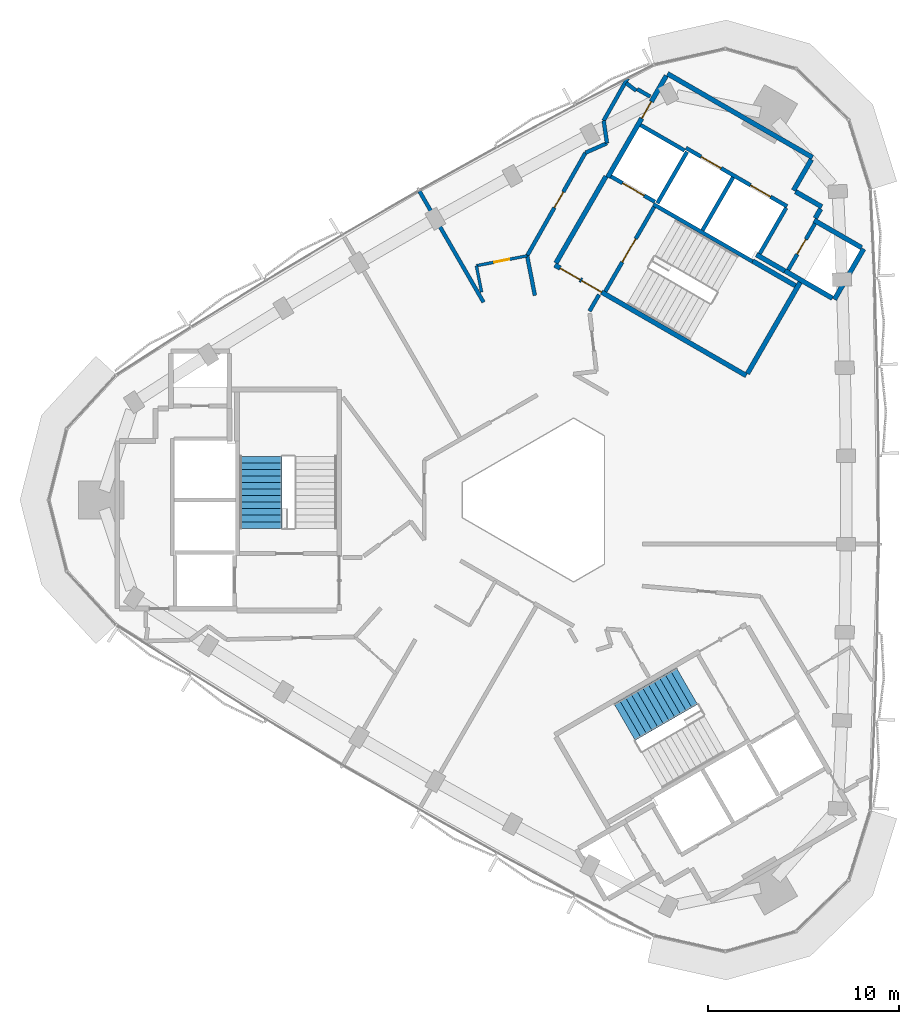
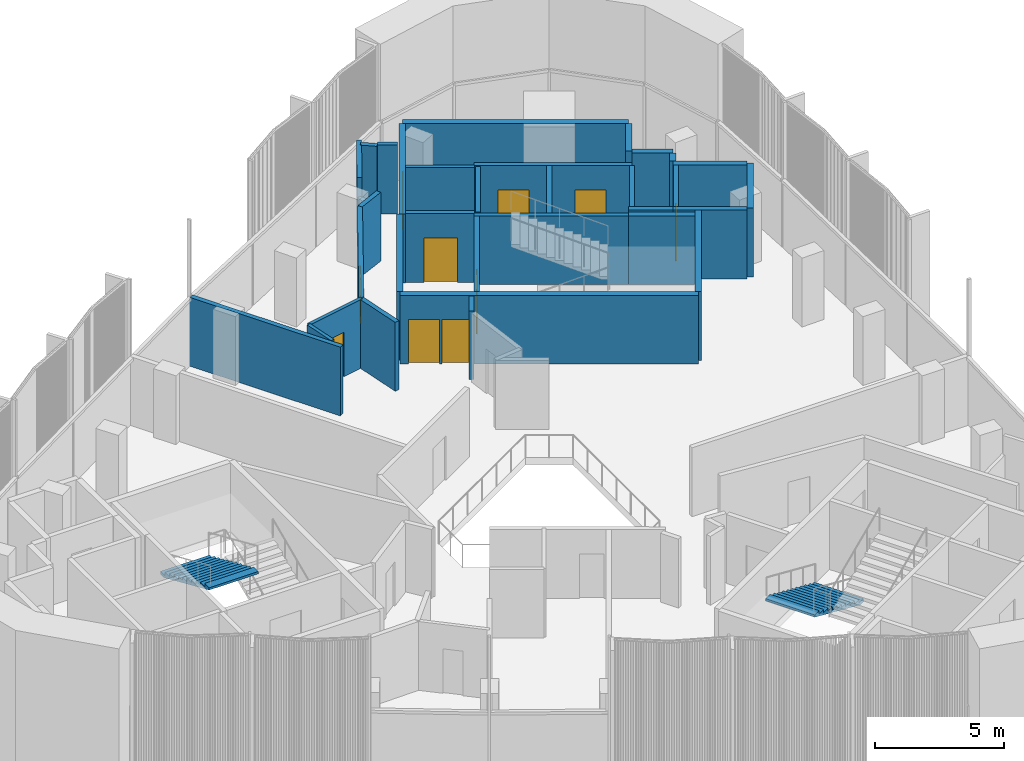
# One storey, part 8 of 13: 33 walls, 10 doors, 2 stair flights, 10 openings, 2 elements without a shape of their own.
"""IFC4 building model written with IfcOpenShell, lengths in metres."""

from ifc_helpers import new_model, si_unit, direction, frame, frame_2d, origin, place, context, subcontext, project, spatial, polyline, rectangle, outline, extrude, material, layer, layer_set, type_object, element, fill, aggregate, save


model = new_model("IFC4")

# Units and contexts
model_context = context("Model", 3, precision=1e-05, world=origin(), true_north=direction((0.0, 1.0)))
body_context = subcontext(model_context, "Body", "Model", "MODEL_VIEW")
ifc_project = project(units=[si_unit("LENGTHUNIT", "METRE"), si_unit("AREAUNIT", "SQUARE_METRE"), si_unit("VOLUMEUNIT", "CUBIC_METRE"), si_unit("PLANEANGLEUNIT", "RADIAN"), si_unit("MASSUNIT", "GRAM", prefix="KILO")], contexts=[model_context])

# Site, building, storey
site_placement = place(None, origin())
site = spatial("IfcSite", under=ifc_project, at=site_placement, CompositionType="ELEMENT")
building_placement = place(site_placement, origin())
building = spatial("IfcBuilding", under=site, at=building_placement, Name="Tamra Quay Hotel Tower", CompositionType="ELEMENT")
storey_placement = place(building_placement, frame((0.0, 0.0, 291.0)))
storey = spatial("IfcBuildingStorey", under=building, at=storey_placement, Name="L73", CompositionType="ELEMENT", Elevation=291.0)

# Wall, openings, doors
ifc_material_1 = material(Name="Concrete M70", Category="concrete")
ifc_layer_1 = layer(ifc_material_1, 0.199951171875)
ifc_layer_set_1 = layer_set([ifc_layer_1], Name="Concrete M70 core wall 200")
wall_type_1 = type_object("IfcWallType", Name="Concrete M70 core wall 200", PredefinedType="SHEAR", material=ifc_layer_set_1)
wall_1_placement = place(storey_placement, frame((12.552490234375, 15.341552734375, 0.0), z_axis=(0.0, 0.0, 1.0), x_axis=(-0.866030299012, 0.499991521122, 0.0)))
wall_1 = element("IfcWall", 1, at=wall_1_placement, inside=storey, type_object=wall_type_1, Name="CW2", PredefinedType="SHEAR", context=body_context, shape_type="SweptSolid", body=[
    extrude(rectangle(XDim=6.10009765625, YDim=0.199951171875, at=frame_2d((3.050048828125, 0.0))), origin(), (0.0, 0.0, 1.0), 3.25),
])
opening_1_placement = place(wall_1_placement, frame((1.0, 0.0, 0.0)))
opening_1 = element("IfcOpeningElement", 2, at=opening_1_placement, cuts=wall_1, Name="Opening LD", PredefinedType="OPENING", context=body_context, shape_type="SweptSolid", body=[
    extrude(rectangle(XDim=1.199951171875, YDim=2.10009765625, at=frame_2d((0.60009765625, 1.050048828125))), frame((0.0, 0.10986328125, 0.0), z_axis=(0.0, -1.0, 0.0), x_axis=(1.0, 0.0, 0.0)), (0.0, 0.0, 1.0), 0.219970703125),
])
opening_2_placement = place(wall_1_placement, frame((3.982177734375, 0.0, 0.0)))
opening_2 = element("IfcOpeningElement", 3, at=opening_2_placement, cuts=wall_1, Name="Opening LD", PredefinedType="OPENING", context=body_context, shape_type="SweptSolid", body=[
    extrude(rectangle(XDim=1.199951171875, YDim=2.10009765625, at=frame_2d((0.60009765625, 1.050048828125))), frame((0.0, 0.10986328125, 0.0), z_axis=(0.0, -1.0, 0.0), x_axis=(1.0, 0.0, 0.0)), (0.0, 0.0, 1.0), 0.219970703125),
])
ifc_material_2 = material(Name="Landing door LD 1200 double door sliding")
door_type_1 = type_object("IfcDoorType", Name="Landing door LD 1200 double door sliding", OperationType="DOUBLE_DOOR_SLIDING", PredefinedType="DOOR", material=ifc_material_2)
door_1_placement = place(opening_1_placement, origin())
door_1 = element("IfcDoor", 4, at=door_1_placement, inside=storey, type_object=door_type_1, Name="LD", OperationType="DOUBLE_DOOR_SLIDING", OverallHeight=2.10009765625, OverallWidth=1.199951171875, PredefinedType="DOOR", context=body_context, shape_type="SweptSolid", body=[
    extrude(rectangle(XDim=1.199951171875, YDim=2.10009765625, at=frame_2d((0.60009765625, 1.050048828125))), frame((0.0, 0.02490234375, 0.0), z_axis=(0.0, -1.0, 0.0), x_axis=(1.0, 0.0, 0.0)), (0.0, 0.0, 1.0), 0.050048828125),
])
fill(opening_1, door_1)
door_2_placement = place(opening_2_placement, origin())
door_2 = element("IfcDoor", 5, at=door_2_placement, inside=storey, type_object=door_type_1, Name="LD", OperationType="DOUBLE_DOOR_SLIDING", OverallHeight=2.10009765625, OverallWidth=1.199951171875, PredefinedType="DOOR", context=body_context, shape_type="SweptSolid", body=[
    extrude(rectangle(XDim=1.199951171875, YDim=2.10009765625, at=frame_2d((0.60009765625, 1.050048828125))), frame((0.0, 0.02490234375, 0.0), z_axis=(0.0, -1.0, 0.0), x_axis=(1.0, 0.0, 0.0)), (0.0, 0.0, 1.0), 0.050048828125),
])
fill(opening_2, door_2)

# Wall
wall_2_placement = place(storey_placement, frame((10.7431640625, 12.4599609375, 0.0), z_axis=(0.0, 0.0, 1.0), x_axis=(-0.866018848283, 0.500011354289, 0.0)))
element("IfcWall", 6, at=wall_2_placement, inside=storey, type_object=wall_type_1, Name="CW2", PredefinedType="SHEAR", context=body_context, shape_type="SweptSolid", body=[
    extrude(rectangle(XDim=5.973876953125, YDim=0.199951171875, at=frame_2d((2.98681640625, 0.0))), origin(), (0.0, 0.0, 1.0), 3.25),
])

# Wall, opening, door
wall_3_placement = place(storey_placement, frame((3.056640625, 10.89453125, 0.0), z_axis=(0.0, 0.0, 1.0), x_axis=(0.500027839223, 0.866009330205, 0.0)))
wall_3 = element("IfcWall", 7, at=wall_3_placement, inside=storey, type_object=wall_type_1, Name="CW2", PredefinedType="SHEAR", context=body_context, shape_type="SweptSolid", body=[
    extrude(rectangle(XDim=5.097900390625, YDim=0.199951171875, at=frame_2d((2.548828125, 0.0))), origin(), (0.0, 0.0, 1.0), 3.25),
])
opening_3_placement = place(wall_3_placement, frame((1.77392578125, 0.0, 0.0)))
opening_3 = element("IfcOpeningElement", 8, at=opening_3_placement, cuts=wall_3, Name="Opening FD2", PredefinedType="OPENING", context=body_context, shape_type="SweptSolid", body=[
    extrude(rectangle(XDim=1.39990234375, YDim=2.10009765625, at=frame_2d((0.699951171875, 1.050048828125))), frame((0.0, 0.10986328125, 0.0), z_axis=(0.0, -1.0, 0.0), x_axis=(1.0, 0.0, 0.0)), (0.0, 0.0, 1.0), 0.219970703125),
])
ifc_material_3 = material(Name="Core door FD2 1400x2100 LH")
door_type_2 = type_object("IfcDoorType", Name="Core door FD2 1400x2100 LH", OperationType="NOTDEFINED", PredefinedType="DOOR", material=ifc_material_3)
door_3_placement = place(opening_3_placement, origin())
door_3 = element("IfcDoor", 9, at=door_3_placement, inside=storey, type_object=door_type_2, Name="FD2", OperationType="SINGLE_SWING_LEFT", OverallHeight=2.10009765625, OverallWidth=1.39990234375, PredefinedType="DOOR", context=body_context, shape_type="SweptSolid", body=[
    extrude(rectangle(XDim=1.39990234375, YDim=2.10009765625, at=frame_2d((0.699951171875, 1.050048828125))), frame((0.0, 0.02490234375, 0.0), z_axis=(0.0, -1.0, 0.0), x_axis=(1.0, 0.0, 0.0)), (0.0, 0.0, 1.0), 0.050048828125),
])
fill(opening_3, door_3)

# Wall
wall_4_placement = place(storey_placement, frame((8.131591796875, 14.08447265625, 0.0), z_axis=(0.0, 0.0, 1.0), x_axis=(0.500030834389, 0.86600760081, 0.0)))
element("IfcWall", 10, at=wall_4_placement, inside=storey, type_object=wall_type_1, Name="CW2", PredefinedType="SHEAR", context=body_context, shape_type="SweptSolid", body=[
    extrude(rectangle(XDim=3.197998046875, YDim=0.199951171875, at=frame_2d((1.59912109375, 0.0))), origin(), (0.0, 0.0, 1.0), 3.25),
])

# Wall, opening, door
wall_5_placement = place(storey_placement, frame((14.0078125, 14.442138671875, 0.0), z_axis=(0.0, 0.0, 1.0), x_axis=(-0.499986818241, -0.866033014143, 0.0)))
wall_5 = element("IfcWall", 11, at=wall_5_placement, inside=storey, type_object=wall_type_1, Name="CW2", PredefinedType="SHEAR", context=body_context, shape_type="SweptSolid", body=[
    extrude(rectangle(XDim=2.7978515625, YDim=0.199951171875, at=frame_2d((1.39892578125, 0.0))), origin(), (0.0, 0.0, 1.0), 3.25),
])
opening_4_placement = place(wall_5_placement, frame((0.948974609375, 0.0, 0.0)))
opening_4 = element("IfcOpeningElement", 12, at=opening_4_placement, cuts=wall_5, Name="Opening D1", PredefinedType="OPENING", context=body_context, shape_type="SweptSolid", body=[
    extrude(rectangle(XDim=0.89990234375, YDim=2.10009765625, at=frame_2d((0.449951171875, 1.050048828125))), frame((0.0, 0.10986328125, 0.0), z_axis=(0.0, -1.0, 0.0), x_axis=(1.0, 0.0, 0.0)), (0.0, 0.0, 1.0), 0.219970703125),
])
ifc_material_4 = material(Name="Core door D1 900x2100 RH")
door_type_3 = type_object("IfcDoorType", Name="Core door D1 900x2100 RH", OperationType="NOTDEFINED", PredefinedType="DOOR", material=ifc_material_4)
door_4_placement = place(opening_4_placement, origin())
door_4 = element("IfcDoor", 13, at=door_4_placement, inside=storey, type_object=door_type_3, Name="D1", OperationType="SINGLE_SWING_RIGHT", OverallHeight=2.10009765625, OverallWidth=0.89990234375, PredefinedType="DOOR", context=body_context, shape_type="SweptSolid", body=[
    extrude(rectangle(XDim=0.89990234375, YDim=2.10009765625, at=frame_2d((0.449951171875, 1.050048828125))), frame((0.0, 0.02490234375, 0.0), z_axis=(0.0, -1.0, 0.0), x_axis=(1.0, 0.0, 0.0)), (0.0, 0.0, 1.0), 0.050048828125),
])
fill(opening_4, door_4)

# Walls
wall_6_placement = place(storey_placement, frame((12.50244140625, 15.2548828125, 0.0), z_axis=(0.0, 0.0, 1.0), x_axis=(-0.499965018551, -0.866045599391, 0.0)))
element("IfcWall", 14, at=wall_6_placement, inside=storey, type_object=wall_type_1, Name="CW2", PredefinedType="SHEAR", context=body_context, shape_type="SweptSolid", body=[
    extrude(rectangle(XDim=2.759033203125, YDim=0.199951171875, at=frame_2d((1.37939453125, 0.0))), origin(), (0.0, 0.0, 1.0), 3.25),
])
wall_7_placement = place(storey_placement, frame((7.324462890625, 18.1865234375, 0.0), z_axis=(0.0, 0.0, 1.0), x_axis=(-0.499967891604, -0.866043940782, 0.0)))
element("IfcWall", 15, at=wall_7_placement, inside=storey, type_object=wall_type_1, Name="CW2", PredefinedType="SHEAR", context=body_context, shape_type="SweptSolid", body=[
    extrude(rectangle(XDim=3.099853515625, YDim=0.199951171875, at=frame_2d((1.5498046875, 0.0))), origin(), (0.0, 0.0, 1.0), 3.25),
])

# Wall, opening, door
wall_8_placement = place(storey_placement, frame((5.646240234375, 15.575927734375, 0.0), z_axis=(0.0, 0.0, 1.0), x_axis=(-0.866018407898, 0.500012117035, 0.0)))
wall_8 = element("IfcWall", 16, at=wall_8_placement, inside=storey, type_object=wall_type_1, Name="CW2", PredefinedType="SHEAR", context=body_context, shape_type="SweptSolid", body=[
    extrude(rectangle(XDim=2.65087890625, YDim=0.199951171875, at=frame_2d((1.325439453125, 0.0))), origin(), (0.0, 0.0, 1.0), 3.25),
])
opening_5_placement = place(wall_8_placement, frame((0.65185546875, 0.0, 0.0)))
opening_5 = element("IfcOpeningElement", 17, at=opening_5_placement, cuts=wall_8, Name="Opening LD", PredefinedType="OPENING", context=body_context, shape_type="SweptSolid", body=[
    extrude(rectangle(XDim=1.300048828125, YDim=2.10009765625, at=frame_2d((0.64990234375, 1.050048828125))), frame((0.0, 0.10986328125, 0.0), z_axis=(0.0, -1.0, 0.0), x_axis=(1.0, 0.0, 0.0)), (0.0, 0.0, 1.0), 0.219970703125),
])
ifc_material_5 = material(Name="Landing door LD 1300 sliding to left")
door_type_4 = type_object("IfcDoorType", Name="Landing door LD 1300 sliding to left", OperationType="NOTDEFINED", PredefinedType="DOOR", material=ifc_material_5)
door_5_placement = place(opening_5_placement, origin())
door_5 = element("IfcDoor", 18, at=door_5_placement, inside=storey, type_object=door_type_4, Name="LD", OperationType="SLIDING_TO_LEFT", OverallHeight=2.10009765625, OverallWidth=1.300048828125, PredefinedType="DOOR", context=body_context, shape_type="SweptSolid", body=[
    extrude(rectangle(XDim=1.300048828125, YDim=2.10009765625, at=frame_2d((0.64990234375, 1.050048828125))), frame((0.0, 0.02490234375, 0.0), z_axis=(0.0, -1.0, 0.0), x_axis=(1.0, 0.0, 0.0)), (0.0, 0.0, 1.0), 0.050048828125),
])
fill(opening_5, door_5)

# Wall
wall_9_placement = place(storey_placement, frame((7.1962890625, 18.260498046875, 0.0), z_axis=(0.0, 0.0, 1.0), x_axis=(-0.866018407898, 0.500012117035, 0.0)))
element("IfcWall", 19, at=wall_9_placement, inside=storey, type_object=wall_type_1, Name="CW2", PredefinedType="SHEAR", context=body_context, shape_type="SweptSolid", body=[
    extrude(rectangle(XDim=2.65087890625, YDim=0.199951171875, at=frame_2d((1.325439453125, 0.0))), origin(), (0.0, 0.0, 1.0), 3.25),
])

# Wall, openings, doors
ifc_layer_2 = layer(ifc_material_1, 0.25)
ifc_layer_set_2 = layer_set([ifc_layer_2], Name="Concrete M70 core wall 250")
wall_type_2 = type_object("IfcWallType", Name="Concrete M70 core wall 250", PredefinedType="SHEAR", material=ifc_layer_set_2)
wall_10_placement = place(storey_placement, frame((10.419921875, 6.497802734375, 0.0), z_axis=(0.0, 0.0, 1.0), x_axis=(-0.866021906294, 0.500006057782, 0.0)))
wall_10 = element("IfcWall", 20, at=wall_10_placement, inside=storey, type_object=wall_type_2, Name="CW1", PredefinedType="SHEAR", context=body_context, shape_type="SweptSolid", body=[
    extrude(rectangle(XDim=11.550048828125, YDim=0.25, at=frame_2d((5.77490234375, 0.0))), origin(), (0.0, 0.0, 1.0), 3.25),
])
opening_6_placement = place(wall_10_placement, frame((10.02490234375, 0.0, 0.0)))
opening_6 = element("IfcOpeningElement", 21, at=opening_6_placement, cuts=wall_10, Name="Opening FD1", PredefinedType="OPENING", context=body_context, shape_type="SweptSolid", body=[
    extrude(rectangle(XDim=1.199951171875, YDim=2.10009765625, at=frame_2d((0.60009765625, 1.050048828125))), frame((0.0, 0.135009765625, 0.0), z_axis=(0.0, -1.0, 0.0), x_axis=(1.0, 0.0, 0.0)), (0.0, 0.0, 1.0), 0.27001953125),
])
opening_7_placement = place(wall_10_placement, frame((8.724853515625, 0.0, 0.0)))
opening_7 = element("IfcOpeningElement", 22, at=opening_7_placement, cuts=wall_10, Name="Opening FD1", PredefinedType="OPENING", context=body_context, shape_type="SweptSolid", body=[
    extrude(rectangle(XDim=1.199951171875, YDim=2.10009765625, at=frame_2d((0.60009765625, 1.050048828125))), frame((0.0, 0.135009765625, 0.0), z_axis=(0.0, -1.0, 0.0), x_axis=(1.0, 0.0, 0.0)), (0.0, 0.0, 1.0), 0.27001953125),
])
ifc_material_6 = material(Name="Core door FD1 1200x2100 LH")
door_type_5 = type_object("IfcDoorType", Name="Core door FD1 1200x2100 LH", OperationType="NOTDEFINED", PredefinedType="DOOR", material=ifc_material_6)
door_6_placement = place(opening_6_placement, origin())
door_6 = element("IfcDoor", 23, at=door_6_placement, inside=storey, type_object=door_type_5, Name="FD1", OperationType="SINGLE_SWING_LEFT", OverallHeight=2.10009765625, OverallWidth=1.199951171875, PredefinedType="DOOR", context=body_context, shape_type="SweptSolid", body=[
    extrude(rectangle(XDim=1.199951171875, YDim=2.10009765625, at=frame_2d((0.60009765625, 1.050048828125))), frame((0.0, 0.02490234375, 0.0), z_axis=(0.0, -1.0, 0.0), x_axis=(1.0, 0.0, 0.0)), (0.0, 0.0, 1.0), 0.050048828125),
])
fill(opening_6, door_6)
ifc_material_7 = material(Name="Core door FD1 1200x2100 RH")
door_type_6 = type_object("IfcDoorType", Name="Core door FD1 1200x2100 RH", OperationType="NOTDEFINED", PredefinedType="DOOR", material=ifc_material_7)
door_7_placement = place(opening_7_placement, origin())
door_7 = element("IfcDoor", 24, at=door_7_placement, inside=storey, type_object=door_type_6, Name="FD1", OperationType="SINGLE_SWING_RIGHT", OverallHeight=2.10009765625, OverallWidth=1.199951171875, PredefinedType="DOOR", context=body_context, shape_type="SweptSolid", body=[
    extrude(rectangle(XDim=1.199951171875, YDim=2.10009765625, at=frame_2d((0.60009765625, 1.050048828125))), frame((0.0, 0.02490234375, 0.0), z_axis=(0.0, -1.0, 0.0), x_axis=(1.0, 0.0, 0.0)), (0.0, 0.0, 1.0), 0.050048828125),
])
fill(opening_7, door_7)

# Wall
wall_11_placement = place(storey_placement, frame((6.303955078125, 22.268798828125, 0.0), z_axis=(0.0, 0.0, 1.0), x_axis=(0.866022959057, -0.500004234368, 0.0)))
element("IfcWall", 25, at=wall_11_placement, inside=storey, type_object=wall_type_2, Name="CW1", PredefinedType="SHEAR", context=body_context, shape_type="SweptSolid", body=[
    extrude(rectangle(XDim=8.75, YDim=0.25, at=frame_2d((4.375, 0.0))), origin(), (0.0, 0.0, 1.0), 3.25),
])

# Wall, opening, door
wall_12_placement = place(storey_placement, frame((3.178955078125, 16.856201171875, 0.0), z_axis=(0.0, 0.0, 1.0), x_axis=(0.500001955336, 0.866024274868, 0.0)))
wall_12 = element("IfcWall", 26, at=wall_12_placement, inside=storey, type_object=wall_type_2, Name="CW1", PredefinedType="SHEAR", context=body_context, shape_type="SweptSolid", body=[
    extrude(rectangle(XDim=6.12451171875, YDim=0.25, at=frame_2d((3.062255859375, 0.0))), origin(), (0.0, 0.0, 1.0), 3.25),
])
opening_8_placement = place(wall_12_placement, frame((3.562744140625, 0.0, 0.0)))
opening_8 = element("IfcOpeningElement", 27, at=opening_8_placement, cuts=wall_12, Name="Opening FD3", PredefinedType="OPENING", context=body_context, shape_type="SweptSolid", body=[
    extrude(rectangle(XDim=1.0, YDim=2.10009765625, at=frame_2d((0.5, 1.050048828125))), frame((0.0, 0.135009765625, 0.0), z_axis=(0.0, -1.0, 0.0), x_axis=(1.0, 0.0, 0.0)), (0.0, 0.0, 1.0), 0.27001953125),
])
ifc_material_8 = material(Name="Core door FD3 1000x2100 LH")
door_type_7 = type_object("IfcDoorType", Name="Core door FD3 1000x2100 LH", OperationType="NOTDEFINED", PredefinedType="DOOR", material=ifc_material_8)
door_8_placement = place(opening_8_placement, origin())
door_8 = element("IfcDoor", 28, at=door_8_placement, inside=storey, type_object=door_type_7, Name="FD3", OperationType="SINGLE_SWING_LEFT", OverallHeight=2.10009765625, OverallWidth=1.0, PredefinedType="DOOR", context=body_context, shape_type="SweptSolid", body=[
    extrude(rectangle(XDim=1.0, YDim=2.10009765625, at=frame_2d((0.5, 1.050048828125))), frame((0.0, 0.02490234375, 0.0), z_axis=(0.0, -1.0, 0.0), x_axis=(1.0, 0.0, 0.0)), (0.0, 0.0, 1.0), 0.050048828125),
])
fill(opening_8, door_8)

# Walls
wall_13_placement = place(storey_placement, frame((0.47998046875, 12.38134765625, 0.0), z_axis=(0.0, 0.0, 1.0), x_axis=(0.49999885962, 0.866026062182, 0.0)))
element("IfcWall", 29, at=wall_13_placement, inside=storey, type_object=wall_type_2, Name="CW1", PredefinedType="SHEAR", context=body_context, shape_type="SweptSolid", body=[
    extrude(rectangle(XDim=5.224609375, YDim=0.25, at=frame_2d((2.6123046875, 0.0))), origin(), (0.0, 0.0, 1.0), 3.25),
])
wall_14_placement = place(storey_placement, frame((13.237548828125, 11.3779296875, 0.0), z_axis=(0.0, 0.0, 1.0), x_axis=(-0.500008851346, -0.866020293397, 0.0)))
element("IfcWall", 30, at=wall_14_placement, inside=storey, type_object=wall_type_2, Name="CW1", PredefinedType="SHEAR", context=body_context, shape_type="SweptSolid", body=[
    extrude(rectangle(XDim=5.509765625, YDim=0.25, at=frame_2d((2.7548828125, 0.0))), origin(), (0.0, 0.0, 1.0), 3.25),
])
wall_15_placement = place(storey_placement, frame((16.552001953125, 13.118896484375, 0.0), z_axis=(0.0, 0.0, 1.0), x_axis=(-0.499978833458, -0.866037623948, 0.0)))
element("IfcWall", 31, at=wall_15_placement, inside=storey, type_object=wall_type_2, Name="CW1", PredefinedType="SHEAR", context=body_context, shape_type="SweptSolid", body=[
    extrude(rectangle(XDim=3.050048828125, YDim=0.25, at=frame_2d((1.52490234375, 0.0))), origin(), (0.0, 0.0, 1.0), 3.25),
])
wall_16_placement = place(storey_placement, frame((14.91845703125, 10.540283203125, 0.0), z_axis=(0.0, 0.0, 1.0), x_axis=(-0.866063538972, 0.499933942099, 0.0)))
element("IfcWall", 32, at=wall_16_placement, inside=storey, type_object=wall_type_2, Name="CW1", PredefinedType="SHEAR", context=body_context, shape_type="SweptSolid", body=[
    extrude(rectangle(XDim=2.86474609375, YDim=0.25, at=frame_2d((1.432373046875, 0.0))), origin(), (0.0, 0.0, 1.0), 3.25),
])
wall_17_placement = place(storey_placement, frame((13.962646484375, 14.61376953125, 0.0), z_axis=(0.0, 0.0, 1.0), x_axis=(0.866042235819, -0.499970844928, 0.0)))
element("IfcWall", 33, at=wall_17_placement, inside=storey, type_object=wall_type_2, Name="CW1", PredefinedType="SHEAR", context=body_context, shape_type="SweptSolid", body=[
    extrude(rectangle(XDim=2.864501953125, YDim=0.25, at=frame_2d((1.43212890625, 0.0))), origin(), (0.0, 0.0, 1.0), 3.25),
])
wall_18_placement = place(storey_placement, frame((10.756591796875, 12.481201171875, 0.0), z_axis=(0.0, 0.0, 1.0), x_axis=(0.866022940537, -0.500004266446, 0.0)))
element("IfcWall", 34, at=wall_18_placement, inside=storey, type_object=wall_type_2, Name="CW1", PredefinedType="SHEAR", context=body_context, shape_type="SweptSolid", body=[
    extrude(rectangle(XDim=2.57470703125, YDim=0.25, at=frame_2d((1.287353515625, 0.0))), origin(), (0.0, 0.0, 1.0), 3.25),
])
wall_19_placement = place(storey_placement, frame((13.819091796875, 17.78515625, 0.0), z_axis=(0.0, 0.0, 1.0), x_axis=(-0.500039802285, -0.866002422705, 0.0)))
element("IfcWall", 35, at=wall_19_placement, inside=storey, type_object=wall_type_2, Name="CW1", PredefinedType="SHEAR", context=body_context, shape_type="SweptSolid", body=[
    extrude(rectangle(XDim=1.864501953125, YDim=0.25, at=frame_2d((0.93212890625, 0.0))), origin(), (0.0, 0.0, 1.0), 3.25),
])
wall_20_placement = place(storey_placement, frame((12.4326171875, 11.9638671875, 0.0), z_axis=(0.0, 0.0, 1.0), x_axis=(-0.866038183914, 0.499977863513, 0.0)))
element("IfcWall", 36, at=wall_20_placement, inside=storey, type_object=wall_type_2, Name="CW1", PredefinedType="SHEAR", context=body_context, shape_type="SweptSolid", body=[
    extrude(rectangle(XDim=1.7099609375, YDim=0.25, at=frame_2d((0.85498046875, 0.0))), origin(), (0.0, 0.0, 1.0), 3.25),
])
wall_21_placement = place(storey_placement, frame((12.995361328125, 16.107666015625, 0.0), z_axis=(0.0, 0.0, 1.0), x_axis=(0.866044474677, -0.49996696679, 0.0)))
element("IfcWall", 37, at=wall_21_placement, inside=storey, type_object=wall_type_2, Name="CW1", PredefinedType="SHEAR", context=body_context, shape_type="SweptSolid", body=[
    extrude(rectangle(XDim=1.58447265625, YDim=0.25, at=frame_2d((0.792236328125, 0.0))), origin(), (0.0, 0.0, 1.0), 3.25),
])
wall_22_placement = place(storey_placement, frame((14.304931640625, 15.206787109375, 0.0), z_axis=(0.0, 0.0, 1.0), x_axis=(-0.499848422343, -0.866112899501, 0.0)))
element("IfcWall", 38, at=wall_22_placement, inside=storey, type_object=wall_type_2, Name="CW1", PredefinedType="SHEAR", context=body_context, shape_type="SweptSolid", body=[
    extrude(rectangle(XDim=0.559326171875, YDim=0.25, at=frame_2d((0.27978515625, 0.0))), origin(), (0.0, 0.0, 1.0), 3.25),
])
ifc_material_9 = material(Name="Partition corridor wall")
ifc_layer_3 = layer(ifc_material_9, 0.199951171875)
ifc_layer_set_3 = layer_set([ifc_layer_3], Name="Partition corridor wall")
wall_type_3 = type_object("IfcWallType", Name="Partition corridor wall", PredefinedType="PARTITIONING", material=ifc_layer_set_3)
wall_23_placement = place(storey_placement, frame((-1.028076171875, 12.757080078125, 0.0), z_axis=(0.0, 0.0, 1.0), x_axis=(0.192202773855, -0.981355233197, 0.0)))
element("IfcWall", 39, at=wall_23_placement, inside=storey, type_object=wall_type_3, Name="W-C", PredefinedType="PARTITIONING", context=body_context, shape_type="SweptSolid", body=[
    extrude(rectangle(XDim=2.1123046875, YDim=0.199951171875, at=frame_2d((1.05615234375, 0.0))), origin(), (0.0, 0.0, 1.0), 3.25),
])

# Wall, opening, door
wall_24_placement = place(storey_placement, frame((-1.027099609375, 12.757080078125, 0.0), z_axis=(0.0, 0.0, 1.0), x_axis=(0.492663063759, 0.870220147783, 0.0)))
wall_24 = element("IfcWall", 40, at=wall_24_placement, inside=storey, type_object=wall_type_3, Name="W-C", PredefinedType="PARTITIONING", context=body_context, shape_type="SweptSolid", body=[
    extrude(rectangle(XDim=6.18701171875, YDim=0.199951171875, at=frame_2d((3.093505859375, 0.0))), origin(), (0.0, 0.0, 1.0), 3.25),
])
opening_9_placement = place(wall_24_placement, frame((2.886962890625, 0.0, 0.0)))
opening_9 = element("IfcOpeningElement", 41, at=opening_9_placement, cuts=wall_24, Name="Opening L73-D004", PredefinedType="OPENING", context=body_context, shape_type="SweptSolid", body=[
    extrude(rectangle(XDim=0.949951171875, YDim=2.10009765625, at=frame_2d((0.47509765625, 1.050048828125))), frame((0.0, 0.10986328125, 0.0), z_axis=(0.0, -1.0, 0.0), x_axis=(1.0, 0.0, 0.0)), (0.0, 0.0, 1.0), 0.219970703125),
])
ifc_material_10 = material(Name="Door guest room 950x2100")
door_type_8 = type_object("IfcDoorType", Name="Door guest room 950x2100", OperationType="NOTDEFINED", PredefinedType="DOOR", material=ifc_material_10)
door_9_placement = place(opening_9_placement, origin())
door_9 = element("IfcDoor", 42, at=door_9_placement, inside=storey, type_object=door_type_8, Name="L73-D004", OperationType="SINGLE_SWING_LEFT", OverallHeight=2.10009765625, OverallWidth=0.949951171875, PredefinedType="DOOR", context=body_context, shape_type="SweptSolid", body=[
    extrude(rectangle(XDim=0.949951171875, YDim=2.10009765625, at=frame_2d((0.47509765625, 1.050048828125))), frame((0.0, 0.02490234375, 0.0), z_axis=(0.0, -1.0, 0.0), x_axis=(1.0, 0.0, 0.0)), (0.0, 0.0, 1.0), 0.050048828125),
])
fill(opening_9, door_9)

# Walls
wall_25_placement = place(storey_placement, frame((2.02099609375, 18.14111328125, 0.0), z_axis=(0.0, 0.0, 1.0), x_axis=(0.914343087003, 0.404940389748, 0.0)))
element("IfcWall", 43, at=wall_25_placement, inside=storey, type_object=wall_type_3, Name="W-C", PredefinedType="PARTITIONING", context=body_context, shape_type="SweptSolid", body=[
    extrude(rectangle(XDim=1.229248046875, YDim=0.199951171875, at=frame_2d((0.61474609375, 0.0))), origin(), (0.0, 0.0, 1.0), 3.25),
])
wall_26_placement = place(storey_placement, frame((2.23095703125, 9.864013671875, 0.0), z_axis=(0.0, 0.0, 1.0), x_axis=(0.499942098031, 0.866058830921, 0.0)))
element("IfcWall", 44, at=wall_26_placement, inside=storey, type_object=wall_type_3, Name="W-C", PredefinedType="PARTITIONING", context=body_context, shape_type="SweptSolid", body=[
    extrude(rectangle(XDim=0.994140625, YDim=0.199951171875, at=frame_2d((0.4970703125, 0.0))), origin(), (0.0, 0.0, 1.0), 3.25),
])
wall_27_placement = place(storey_placement, frame((2.969970703125, 19.81689453125, 0.0), z_axis=(0.0, 0.0, 1.0), x_axis=(0.146986994932, -0.989138424752, 0.0)))
element("IfcWall", 45, at=wall_27_placement, inside=storey, type_object=wall_type_3, Name="W-C", PredefinedType="PARTITIONING", context=body_context, shape_type="SweptSolid", body=[
    extrude(rectangle(XDim=1.19091796875, YDim=0.199951171875, at=frame_2d((0.595458984375, 0.0))), origin(), (0.0, 0.0, 1.0), 2.35009765625),
])
wall_28_placement = place(storey_placement, frame((2.97021484375, 19.81787109375, 0.0), z_axis=(0.0, 0.0, 1.0), x_axis=(0.492727027301, 0.870183932607, 0.0)))
element("IfcWall", 46, at=wall_28_placement, inside=storey, type_object=wall_type_3, Name="W-C", PredefinedType="PARTITIONING", context=body_context, shape_type="SweptSolid", body=[
    extrude(rectangle(XDim=2.5458984375, YDim=0.199951171875, at=frame_2d((1.27294921875, 0.0))), origin(), (0.0, 0.0, 1.0), 3.25),
])
wall_29_placement = place(storey_placement, frame((4.14599609375, 21.781982421875, 0.0), z_axis=(0.0, 0.0, 1.0), x_axis=(0.793977493121, -0.607947152652, 0.0)))
element("IfcWall", 47, at=wall_29_placement, inside=storey, type_object=wall_type_3, Name="W-C", PredefinedType="PARTITIONING", context=body_context, shape_type="SweptSolid", body=[
    extrude(rectangle(XDim=0.65625, YDim=0.199951171875, at=frame_2d((0.328125, 0.0))), origin(), (0.0, 0.0, 1.0), 3.25),
])
wall_30_placement = place(storey_placement, frame((4.716064453125, 21.468017578125, 0.0), z_axis=(0.0, 0.0, 1.0), x_axis=(0.865912682783, -0.500195187698, 0.0)))
element("IfcWall", 48, at=wall_30_placement, inside=storey, type_object=wall_type_3, Name="W-C", PredefinedType="PARTITIONING", context=body_context, shape_type="SweptSolid", body=[
    extrude(rectangle(XDim=0.789794921875, YDim=0.199951171875, at=frame_2d((0.39501953125, 0.0))), origin(), (0.0, 0.0, 1.0), 3.25),
])
ifc_material_11 = material(Name="Partition en-suite wall")
ifc_layer_4 = layer(ifc_material_11, 0.14990234375)
ifc_layer_set_4 = layer_set([ifc_layer_4], Name="Partition en-suite wall")
wall_type_4 = type_object("IfcWallType", Name="Partition en-suite wall", PredefinedType="PARTITIONING", material=ifc_layer_set_4)
wall_31_placement = place(storey_placement, frame((-3.677978515625, 12.238037109375, 0.0), z_axis=(0.0, 0.0, 1.0), x_axis=(0.192270029527, -0.981342058482, 0.0)))
element("IfcWall", 49, at=wall_31_placement, inside=storey, type_object=wall_type_4, Name="W-E", PredefinedType="PARTITIONING", context=body_context, shape_type="SweptSolid", body=[
    extrude(rectangle(XDim=1.404296875, YDim=0.14990234375, at=frame_2d((0.7021484375, 0.0))), origin(), (0.0, 0.0, 1.0), 3.25),
])

# Wall, opening, door
wall_32_placement = place(storey_placement, frame((-3.677978515625, 12.238037109375, 0.0), z_axis=(0.0, 0.0, 1.0), x_axis=(0.98135189098, 0.192219837868, 0.0)))
wall_32 = element("IfcWall", 50, at=wall_32_placement, inside=storey, type_object=wall_type_4, Name="W-E", PredefinedType="PARTITIONING", context=body_context, shape_type="SweptSolid", body=[
    extrude(rectangle(XDim=2.7001953125, YDim=0.14990234375, at=frame_2d((1.35009765625, 0.0))), origin(), (0.0, 0.0, 1.0), 3.25),
])
opening_10_placement = place(wall_32_placement, frame((0.9501953125, 0.0, 0.0)))
opening_10 = element("IfcOpeningElement", 51, at=opening_10_placement, cuts=wall_32, Name="Opening L73-D005", PredefinedType="OPENING", context=body_context, shape_type="SweptSolid", body=[
    extrude(rectangle(XDim=0.800048828125, YDim=2.10009765625, at=frame_2d((0.39990234375, 1.050048828125))), frame((0.0, 0.0849609375, 0.0), z_axis=(0.0, -1.0, 0.0), x_axis=(1.0, 0.0, 0.0)), (0.0, 0.0, 1.0), 0.169921875),
])
ifc_material_12 = material(Name="Door en-suite 800x2100")
door_type_9 = type_object("IfcDoorType", Name="Door en-suite 800x2100", OperationType="NOTDEFINED", PredefinedType="DOOR", material=ifc_material_12)
door_10_placement = place(opening_10_placement, origin())
door_10 = element("IfcDoor", 52, at=door_10_placement, inside=storey, type_object=door_type_9, Name="L73-D005", OperationType="SINGLE_SWING_LEFT", OverallHeight=2.10009765625, OverallWidth=0.800048828125, PredefinedType="DOOR", context=body_context, shape_type="SweptSolid", body=[
    extrude(rectangle(XDim=0.800048828125, YDim=2.10009765625, at=frame_2d((0.39990234375, 1.050048828125))), frame((0.0, 0.02490234375, 0.0), z_axis=(0.0, -1.0, 0.0), x_axis=(1.0, 0.0, 0.0)), (0.0, 0.0, 1.0), 0.050048828125),
])
fill(opening_10, door_10)

# Wall
ifc_material_13 = material(Name="Partition party wall")
ifc_layer_5 = layer(ifc_material_13, 0.199951171875)
ifc_layer_set_5 = layer_set([ifc_layer_5], Name="Partition party wall")
wall_type_5 = type_object("IfcWallType", Name="Partition party wall", PredefinedType="PARTITIONING", material=ifc_layer_set_5)
wall_33_placement = place(storey_placement, frame((-6.669677734375, 16.1591796875, 0.0), z_axis=(0.0, 0.0, 1.0), x_axis=(0.50003223478, -0.866006792225, 0.0)))
element("IfcWall", 53, at=wall_33_placement, inside=storey, type_object=wall_type_5, Name="W-P", PredefinedType="PARTITIONING", context=body_context, shape_type="SweptSolid", body=[
    extrude(rectangle(XDim=6.73095703125, YDim=0.199951171875, at=frame_2d((3.365478515625, 0.0))), origin(), (0.0, 0.0, 1.0), 3.25),
])

# Stair, stair flight
ifc_material_14 = material(Name="Exit stair 2200 24 risers 150.0 going 342")
stair_type = type_object("IfcStairType", Name="Exit stair 2200 24 risers 150.0 going 342", PredefinedType="HALF_TURN_STAIR", material=ifc_material_14)
stair_1_placement = place(storey_placement, origin())
stair_1 = element("IfcStair", 54, at=stair_1_placement, inside=storey, type_object=stair_type, Name="L73 Exit stair ST3", PredefinedType="HALF_TURN_STAIR")
ifc_material_15 = material(Name="Exit stair flight 2200 12 risers 150.0")
stair_flight_type = type_object("IfcStairFlightType", Name="Exit stair flight 2200 12 risers 150.0", PredefinedType="STRAIGHT", material=ifc_material_15)
stair_flight_1_placement = place(storey_placement, frame((-14.94140625, 2.281982421875, 1.800048828125), z_axis=(0.0, 0.0, 1.0), x_axis=(0.0, -1.0, 0.0)))
stair_flight_1 = element("IfcStairFlight", 55, at=stair_flight_1_placement, type_object=stair_flight_type, Name="ST3 flight 2", NumberOfRisers=12, NumberOfTreads=11, PredefinedType="STRAIGHT", RiserHeight=0.15, TreadLength=0.342, context=body_context, shape_type="SweptSolid", body=[
    extrude(outline(polyline([(0.0, 0.0), (0.0, 0.14990234375), (0.342041015625, 0.14990234375), (0.342041015625, 0.300048828125), (0.68408203125, 0.300048828125), (0.68408203125, 0.449951171875), (1.02587890625, 0.449951171875), (1.02587890625, 0.60009765625), (1.367919921875, 0.60009765625), (1.367919921875, 0.75), (1.7099609375, 0.75), (1.7099609375, 0.89990234375), (2.052001953125, 0.89990234375), (2.052001953125, 1.050048828125), (2.39404296875, 1.050048828125), (2.39404296875, 1.199951171875), (2.736083984375, 1.199951171875), (2.736083984375, 1.35009765625), (3.077880859375, 1.35009765625), (3.077880859375, 1.5), (3.419921875, 1.5), (3.419921875, 1.64990234375), (3.761962890625, 1.64990234375), (3.761962890625, 1.800048828125), (3.761962890625, 1.540771484375), (0.249267578125, 0.0), (0.0, 0.0)])), frame((0.0, 1.10009765625, 0.0), z_axis=(0.0, -1.0, 0.0), x_axis=(1.0, 0.0, 0.0)), (0.0, 0.0, 1.0), 2.199951171875),
])
aggregate(stair_1, [stair_flight_1])

stair_2_placement = place(storey_placement, origin())
stair_2 = element("IfcStair", 56, at=stair_2_placement, inside=storey, type_object=stair_type, Name="L73 Exit stair ST2", PredefinedType="HALF_TURN_STAIR")
stair_flight_2_placement = place(storey_placement, frame((7.322998046875, -9.7236328125, 0.0), z_axis=(0.0, 0.0, 1.0), x_axis=(-0.866025403784, -0.5, 0.0)))
stair_flight_2 = element("IfcStairFlight", 57, at=stair_flight_2_placement, type_object=stair_flight_type, Name="ST2 flight 1", NumberOfRisers=12, NumberOfTreads=11, PredefinedType="STRAIGHT", RiserHeight=0.15, TreadLength=0.342, context=body_context, shape_type="SweptSolid", body=[
    extrude(outline(polyline([(0.0, 0.0), (0.0, 0.14990234375), (0.342041015625, 0.14990234375), (0.342041015625, 0.300048828125), (0.68408203125, 0.300048828125), (0.68408203125, 0.449951171875), (1.02587890625, 0.449951171875), (1.02587890625, 0.60009765625), (1.367919921875, 0.60009765625), (1.367919921875, 0.75), (1.7099609375, 0.75), (1.7099609375, 0.89990234375), (2.052001953125, 0.89990234375), (2.052001953125, 1.050048828125), (2.39404296875, 1.050048828125), (2.39404296875, 1.199951171875), (2.736083984375, 1.199951171875), (2.736083984375, 1.35009765625), (3.077880859375, 1.35009765625), (3.077880859375, 1.5), (3.419921875, 1.5), (3.419921875, 1.64990234375), (3.761962890625, 1.64990234375), (3.761962890625, 1.800048828125), (3.761962890625, 1.540771484375), (0.249267578125, 0.0), (0.0, 0.0)])), frame((0.0, 1.10009765625, 0.0), z_axis=(0.0, -1.0, 0.0), x_axis=(1.0, 0.0, 0.0)), (0.0, 0.0, 1.0), 2.199951171875),
])
aggregate(stair_2, [stair_flight_2])

save(model, "model.ifc")
